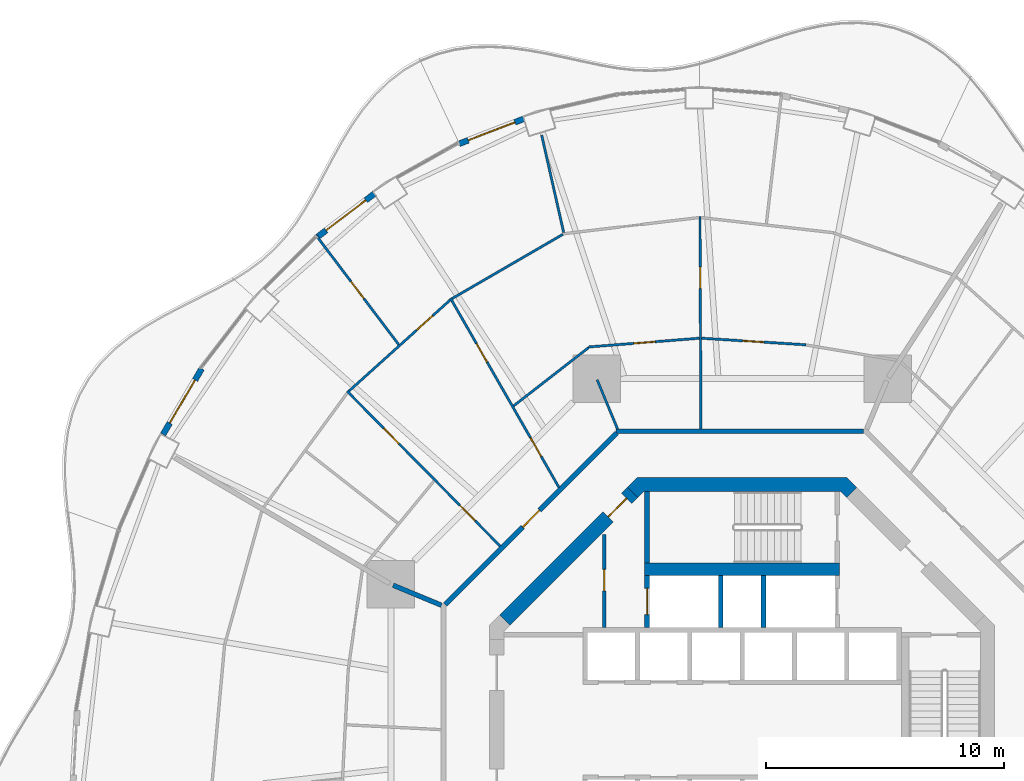
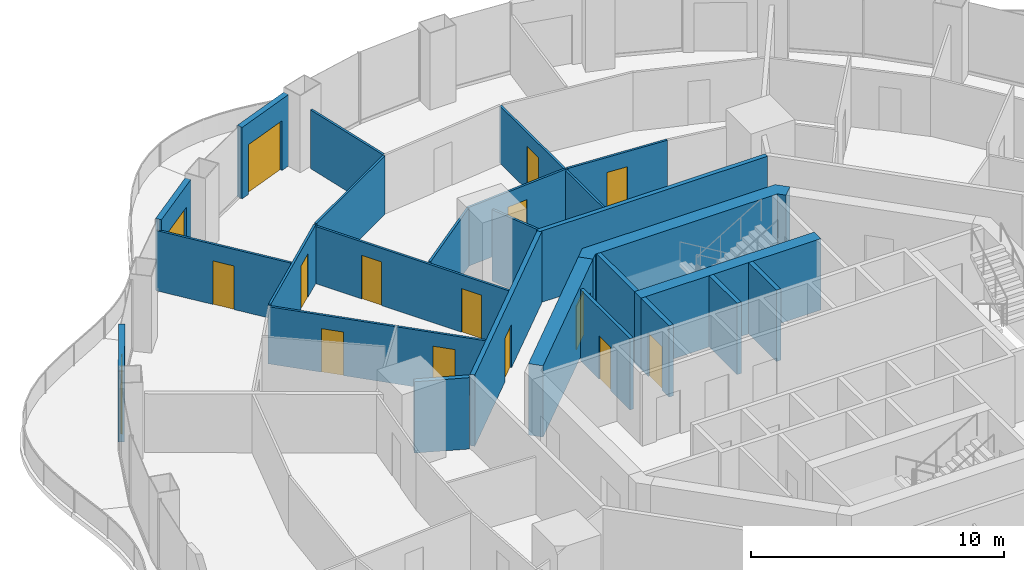
# One storey, part 15 of 20: 25 walls, 16 doors, 16 openings.
"""IFC4 building model written with IfcOpenShell, lengths in metres."""

from ifc_helpers import new_model, si_unit, direction, frame, frame_2d, origin, place, context, subcontext, project, spatial, polyline, rectangle, outline, extrude, material, layer, layer_set, type_object, element, fill, save


model = new_model("IFC4")

# Units and contexts
model_context = context("Model", 3, precision=1e-05, world=origin(), true_north=direction((0.0, 1.0)))
body_context = subcontext(model_context, "Body", "Model", "MODEL_VIEW")
ifc_project = project(units=[si_unit("LENGTHUNIT", "METRE"), si_unit("AREAUNIT", "SQUARE_METRE"), si_unit("VOLUMEUNIT", "CUBIC_METRE"), si_unit("PLANEANGLEUNIT", "RADIAN"), si_unit("MASSUNIT", "GRAM", prefix="KILO")], contexts=[model_context])

# Site, building, storey
site_placement = place(None, origin())
site = spatial("IfcSite", under=ifc_project, at=site_placement, CompositionType="ELEMENT")
building_placement = place(site_placement, origin())
building = spatial("IfcBuilding", under=site, at=building_placement, Name="Nagisa Residences", CompositionType="ELEMENT")
storey_placement = place(building_placement, frame((0.0, 0.0, 123.300048828125)))
storey = spatial("IfcBuildingStorey", under=building, at=storey_placement, Name="L30", CompositionType="ELEMENT", Elevation=123.300048828125)

# Walls
ifc_material_1 = material(Name="Gypsum board on steel studs", Category="steel")
ifc_layer_1 = layer(ifc_material_1, 0.199951171875)
ifc_layer_set_1 = layer_set([ifc_layer_1], Name="Apartment compartment wall EI60 200")
wall_type_1 = type_object("IfcWallType", Name="Apartment compartment wall EI60 200", PredefinedType="PARTITIONING", material=ifc_layer_set_1)
wall_1_placement = place(storey_placement, frame((-12.6572265625, 5.24267578125, 0.0), z_axis=(0.0, 0.0, 1.0), x_axis=(-0.923869415315, 0.382707856524, 0.0)))
element("IfcWall", 1, at=wall_1_placement, inside=storey, type_object=wall_type_1, Name="wall:L30:u02", PredefinedType="PARTITIONING", context=body_context, shape_type="SweptSolid", body=[
    extrude(rectangle(XDim=2.2001953125, YDim=0.199951171875, at=frame_2d((1.10009765625, 0.0))), origin(), (0.0, 0.0, 1.0), 3.43994140625),
])
ifc_material_2 = material(Name="Gypsum board on steel studs", Category="steel")
ifc_layer_2 = layer(ifc_material_2, 0.199951171875)
ifc_layer_set_2 = layer_set([ifc_layer_2], Name="Apartment entry wall EI60 200")
wall_type_2 = type_object("IfcWallType", Name="Apartment entry wall EI60 200", PredefinedType="PARTITIONING", material=ifc_layer_set_2)
wall_2_placement = place(storey_placement, frame((5.1044921875, 12.564697265625, 0.0), z_axis=(0.0, 0.0, 1.0), x_axis=(-1.0, 0.0, 0.0)))
element("IfcWall", 2, at=wall_2_placement, inside=storey, type_object=wall_type_2, Name="wall:L30:u08", PredefinedType="PARTITIONING", context=body_context, shape_type="SweptSolid", body=[
    extrude(rectangle(XDim=10.408935546875, YDim=0.199951171875, at=frame_2d((5.20458984375, 0.0))), origin(), (0.0, 0.0, 1.0), 3.43994140625),
])

# Wall, opening, door
wall_3_placement = place(storey_placement, frame((-5.275146484375, 12.494140625, 0.0), z_axis=(0.0, 0.0, 1.0), x_axis=(-0.707106781187, -0.707106781187, 0.0)))
wall_3 = element("IfcWall", 3, at=wall_3_placement, inside=storey, type_object=wall_type_2, Name="wall:L30:u09", PredefinedType="PARTITIONING", context=body_context, shape_type="SweptSolid", body=[
    extrude(rectangle(XDim=10.209228515625, YDim=0.199951171875, at=frame_2d((5.1044921875, 0.0))), origin(), (0.0, 0.0, 1.0), 3.43994140625),
])
opening_1_placement = place(wall_3_placement, frame((4.6044921875, 0.0, 0.0)))
opening_1 = element("IfcOpeningElement", 4, at=opening_1_placement, cuts=wall_3, Name="Opening L30-U01", PredefinedType="OPENING", context=body_context, shape_type="SweptSolid", body=[
    extrude(rectangle(XDim=1.0, YDim=2.10009765625, at=frame_2d((0.5, 1.050048828125))), frame((0.0, 0.10986328125, 0.0), z_axis=(0.0, -1.0, 0.0), x_axis=(1.0, 0.0, 0.0)), (0.0, 0.0, 1.0), 0.219970703125),
])
ifc_material_3 = material(Name="Timber fire door set", Category="wood")
door_type_1 = type_object("IfcDoorType", Name="Apartment entry door FD30S 1000x2100", OperationType="NOTDEFINED", PredefinedType="DOOR", material=ifc_material_3)
door_1_placement = place(opening_1_placement, frame((1.0, 0.0, 0.0), x_axis=(-1.0, 0.0, 0.0)))
door_1 = element("IfcDoor", 5, at=door_1_placement, inside=storey, type_object=door_type_1, Name="Entry door, Apartment 30A", OperationType="SINGLE_SWING_RIGHT", OverallHeight=2.10009765625, OverallWidth=1.0, PredefinedType="DOOR", context=body_context, shape_type="SweptSolid", body=[
    extrude(rectangle(XDim=1.0, YDim=2.10009765625, at=frame_2d((0.5, 1.050048828125))), frame((0.0, 0.02490234375, 0.0), z_axis=(0.0, -1.0, 0.0), x_axis=(1.0, 0.0, 0.0)), (0.0, 0.0, 1.0), 0.050048828125),
])
fill(opening_1, door_1)

ifc_material_4 = material(Name="Gypsum board on steel studs", Category="steel")
ifc_layer_3 = layer(ifc_material_4, 0.10009765625)
ifc_layer_set_3 = layer_set([ifc_layer_3], Name="Apartment partition 100")
wall_type_3 = type_object("IfcWallType", Name="Apartment partition 100", PredefinedType="PARTITIONING", material=ifc_layer_set_3)
wall_4_placement = place(storey_placement, frame((2.6845703125, 16.2021484375, 0.0), z_axis=(0.0, 0.0, 1.0), x_axis=(-0.998000808042, 0.063201164138, 0.0)))
wall_4 = element("IfcWall", 6, at=wall_4_placement, inside=storey, type_object=wall_type_3, Name="wall:L30:u35", PredefinedType="PARTITIONING", context=body_context, shape_type="SweptSolid", body=[
    extrude(rectangle(XDim=4.39599609375, YDim=0.10009765625, at=frame_2d((2.197998046875, 0.0))), origin(), (0.0, 0.0, 1.0), 2.827880859375),
])
opening_2_placement = place(wall_4_placement, frame((1.77294921875, 0.0, 0.0)))
opening_2 = element("IfcOpeningElement", 7, at=opening_2_placement, cuts=wall_4, Name="Opening L30-U13", PredefinedType="OPENING", context=body_context, shape_type="SweptSolid", body=[
    extrude(rectangle(XDim=0.89990234375, YDim=2.10009765625, at=frame_2d((0.449951171875, 1.050048828125))), frame((0.0, 0.06005859375, 0.0), z_axis=(0.0, -1.0, 0.0), x_axis=(1.0, 0.0, 0.0)), (0.0, 0.0, 1.0), 0.1201171875),
])
ifc_material_5 = material(Name="Timber door set", Category="wood")
door_type_2 = type_object("IfcDoorType", Name="Apartment door 900x2100", OperationType="NOTDEFINED", PredefinedType="DOOR", material=ifc_material_5)
door_2_placement = place(opening_2_placement, origin())
door_2 = element("IfcDoor", 8, at=door_2_placement, inside=storey, type_object=door_type_2, Name="Door to laundry, Apartment 30A", OperationType="SINGLE_SWING_LEFT", OverallHeight=2.10009765625, OverallWidth=0.89990234375, PredefinedType="DOOR", context=body_context, shape_type="SweptSolid", body=[
    extrude(rectangle(XDim=0.89990234375, YDim=2.10009765625, at=frame_2d((0.449951171875, 1.050048828125))), frame((0.0, 0.02490234375, 0.0), z_axis=(0.0, -1.0, 0.0), x_axis=(1.0, 0.0, 0.0)), (0.0, 0.0, 1.0), 0.050048828125),
])
fill(opening_2, door_2)

wall_5_placement = place(storey_placement, frame((-1.7353515625, 12.664794921875, 0.0), z_axis=(0.0, 0.0, 1.0), x_axis=(-0.004474716456, 0.999989988406, 0.0)))
wall_5 = element("IfcWall", 9, at=wall_5_placement, inside=storey, type_object=wall_type_3, Name="wall:L30:u38", PredefinedType="PARTITIONING", context=body_context, shape_type="SweptSolid", body=[
    extrude(rectangle(XDim=8.94775390625, YDim=0.10009765625, at=frame_2d((4.473876953125, 0.0))), origin(), (0.0, 0.0, 1.0), 2.755859375),
])
opening_3_placement = place(wall_5_placement, frame((5.908203125, 0.0, 0.0)))
opening_3 = element("IfcOpeningElement", 10, at=opening_3_placement, cuts=wall_5, Name="Opening L30-U10", PredefinedType="OPENING", context=body_context, shape_type="SweptSolid", body=[
    extrude(rectangle(XDim=0.89990234375, YDim=2.10009765625, at=frame_2d((0.449951171875, 1.050048828125))), frame((0.0, 0.06005859375, 0.0), z_axis=(0.0, -1.0, 0.0), x_axis=(1.0, 0.0, 0.0)), (0.0, 0.0, 1.0), 0.1201171875),
])
door_3_placement = place(opening_3_placement, frame((0.89990234375, 0.0, 0.0), x_axis=(-1.0, 0.0, 0.0)))
door_3 = element("IfcDoor", 11, at=door_3_placement, inside=storey, type_object=door_type_2, Name="Door to kitchen, Apartment 30A", OperationType="SINGLE_SWING_LEFT", OverallHeight=2.10009765625, OverallWidth=0.89990234375, PredefinedType="DOOR", context=body_context, shape_type="SweptSolid", body=[
    extrude(rectangle(XDim=0.89990234375, YDim=2.10009765625, at=frame_2d((0.449951171875, 1.050048828125))), frame((0.0, 0.02490234375, 0.0), z_axis=(0.0, -1.0, 0.0), x_axis=(1.0, 0.0, 0.0)), (0.0, 0.0, 1.0), 0.050048828125),
])
fill(opening_3, door_3)

wall_6_placement = place(storey_placement, frame((-1.80224609375, 16.479248046875, 0.0), z_axis=(0.0, 0.0, 1.0), x_axis=(-0.996909003513, -0.078564869469, 0.0)))
wall_6 = element("IfcWall", 12, at=wall_6_placement, inside=storey, type_object=wall_type_3, Name="wall:L30:u39", PredefinedType="PARTITIONING", context=body_context, shape_type="SweptSolid", body=[
    extrude(rectangle(XDim=4.68603515625, YDim=0.10009765625, at=frame_2d((2.343017578125, 0.0))), origin(), (0.0, 0.0, 1.0), 2.827880859375),
])
opening_4_placement = place(wall_6_placement, frame((1.867919921875, 0.0, 0.0)))
opening_4 = element("IfcOpeningElement", 13, at=opening_4_placement, cuts=wall_6, Name="Opening L30-U09", PredefinedType="OPENING", context=body_context, shape_type="SweptSolid", body=[
    extrude(rectangle(XDim=0.89990234375, YDim=2.10009765625, at=frame_2d((0.449951171875, 1.050048828125))), frame((0.0, 0.06005859375, 0.0), z_axis=(0.0, -1.0, 0.0), x_axis=(1.0, 0.0, 0.0)), (0.0, 0.0, 1.0), 0.1201171875),
])
door_4_placement = place(opening_4_placement, origin())
door_4 = element("IfcDoor", 14, at=door_4_placement, inside=storey, type_object=door_type_2, Name="Door to store, Apartment 30A", OperationType="SINGLE_SWING_LEFT", OverallHeight=2.10009765625, OverallWidth=0.89990234375, PredefinedType="DOOR", context=body_context, shape_type="SweptSolid", body=[
    extrude(rectangle(XDim=0.89990234375, YDim=2.10009765625, at=frame_2d((0.449951171875, 1.050048828125))), frame((0.0, 0.02490234375, 0.0), z_axis=(0.0, -1.0, 0.0), x_axis=(1.0, 0.0, 0.0)), (0.0, 0.0, 1.0), 0.050048828125),
])
fill(opening_4, door_4)

# Walls
wall_7_placement = place(storey_placement, frame((-5.24267578125, 12.6572265625, 0.0), z_axis=(0.0, 0.0, 1.0), x_axis=(-0.382719158442, 0.923864733477, 0.0)))
element("IfcWall", 15, at=wall_7_placement, inside=storey, type_object=wall_type_3, Name="wall:L30:u41", PredefinedType="PARTITIONING", context=body_context, shape_type="SweptSolid", body=[
    extrude(rectangle(XDim=2.25, YDim=0.10009765625, at=frame_2d((1.125, 0.0))), origin(), (0.0, 0.0, 1.0), 3.43994140625),
])
wall_8_placement = place(storey_placement, frame((-6.46337890625, 16.084228515625, 0.0), z_axis=(0.0, 0.0, 1.0), x_axis=(-0.789457442969, -0.613805299538, 0.0)))
element("IfcWall", 16, at=wall_8_placement, inside=storey, type_object=wall_type_3, Name="wall:L30:u42", PredefinedType="PARTITIONING", context=body_context, shape_type="SweptSolid", body=[
    extrude(rectangle(XDim=3.997314453125, YDim=0.10009765625, at=frame_2d((1.99853515625, 0.0))), origin(), (0.0, 0.0, 1.0), 2.827880859375),
])
wall_9_placement = place(storey_placement, frame((-7.5107421875, 20.926513671875, 0.0), z_axis=(0.0, 0.0, 1.0), x_axis=(-0.220337559031, 0.975423682345, 0.0)))
element("IfcWall", 17, at=wall_9_placement, inside=storey, type_object=wall_type_3, Name="wall:L30:u43", PredefinedType="PARTITIONING", context=body_context, shape_type="SweptSolid", body=[
    extrude(rectangle(XDim=4.20166015625, YDim=0.10009765625, at=frame_2d((2.100830078125, 0.0))), origin(), (0.0, 0.0, 1.0), 2.827880859375),
])
wall_10_placement = place(storey_placement, frame((-7.54296875, 20.8525390625, 0.0), z_axis=(0.0, 0.0, 1.0), x_axis=(-0.865086194899, -0.501623240485, 0.0)))
element("IfcWall", 18, at=wall_10_placement, inside=storey, type_object=wall_type_3, Name="wall:L30:u44", PredefinedType="PARTITIONING", context=body_context, shape_type="SweptSolid", body=[
    extrude(rectangle(XDim=5.39306640625, YDim=0.10009765625, at=frame_2d((2.696533203125, 0.0))), origin(), (0.0, 0.0, 1.0), 2.827880859375),
])

# Wall, openings, doors
wall_11_placement = place(storey_placement, frame((-7.707763671875, 10.197998046875, 0.0), z_axis=(0.0, 0.0, 1.0), x_axis=(-0.497449462689, 0.867492957937, 0.0)))
wall_11 = element("IfcWall", 19, at=wall_11_placement, inside=storey, type_object=wall_type_3, Name="wall:L30:u45", PredefinedType="PARTITIONING", context=body_context, shape_type="SweptSolid", body=[
    extrude(rectangle(XDim=9.1845703125, YDim=0.10009765625, at=frame_2d((4.59228515625, 0.0))), origin(), (0.0, 0.0, 1.0), 2.755859375),
])
opening_5_placement = place(wall_11_placement, frame((1.5107421875, 0.0, 0.0)))
opening_5 = element("IfcOpeningElement", 20, at=opening_5_placement, cuts=wall_11, Name="Opening L30-U02", PredefinedType="OPENING", context=body_context, shape_type="SweptSolid", body=[
    extrude(rectangle(XDim=0.89990234375, YDim=2.10009765625, at=frame_2d((0.449951171875, 1.050048828125))), frame((0.0, 0.06005859375, 0.0), z_axis=(0.0, -1.0, 0.0), x_axis=(1.0, 0.0, 0.0)), (0.0, 0.0, 1.0), 0.1201171875),
])
opening_6_placement = place(wall_11_placement, frame((6.077880859375, 0.0, 0.0)))
opening_6 = element("IfcOpeningElement", 21, at=opening_6_placement, cuts=wall_11, Name="Opening L30-U04", PredefinedType="OPENING", context=body_context, shape_type="SweptSolid", body=[
    extrude(rectangle(XDim=0.89990234375, YDim=2.10009765625, at=frame_2d((0.449951171875, 1.050048828125))), frame((0.0, 0.06005859375, 0.0), z_axis=(0.0, -1.0, 0.0), x_axis=(1.0, 0.0, 0.0)), (0.0, 0.0, 1.0), 0.1201171875),
])
door_5_placement = place(opening_5_placement, frame((0.89990234375, 0.0, 0.0), x_axis=(-1.0, 0.0, 0.0)))
door_5 = element("IfcDoor", 22, at=door_5_placement, inside=storey, type_object=door_type_2, Name="Door to store, Apartment 30A", OperationType="SINGLE_SWING_LEFT", OverallHeight=2.10009765625, OverallWidth=0.89990234375, PredefinedType="DOOR", context=body_context, shape_type="SweptSolid", body=[
    extrude(rectangle(XDim=0.89990234375, YDim=2.10009765625, at=frame_2d((0.449951171875, 1.050048828125))), frame((0.0, 0.02490234375, 0.0), z_axis=(0.0, -1.0, 0.0), x_axis=(1.0, 0.0, 0.0)), (0.0, 0.0, 1.0), 0.050048828125),
])
fill(opening_5, door_5)
door_6_placement = place(opening_6_placement, frame((0.89990234375, 0.0, 0.0), x_axis=(-1.0, 0.0, 0.0)))
door_6 = element("IfcDoor", 23, at=door_6_placement, inside=storey, type_object=door_type_2, Name="Door to dining room, Apartment 30A", OperationType="SINGLE_SWING_LEFT", OverallHeight=2.10009765625, OverallWidth=0.89990234375, PredefinedType="DOOR", context=body_context, shape_type="SweptSolid", body=[
    extrude(rectangle(XDim=0.89990234375, YDim=2.10009765625, at=frame_2d((0.449951171875, 1.050048828125))), frame((0.0, 0.02490234375, 0.0), z_axis=(0.0, -1.0, 0.0), x_axis=(1.0, 0.0, 0.0)), (0.0, 0.0, 1.0), 0.050048828125),
])
fill(opening_6, door_6)

# Wall, opening, door
wall_12_placement = place(storey_placement, frame((-12.2890625, 18.088623046875, 0.0), z_axis=(0.0, 0.0, 1.0), x_axis=(-0.743146066164, -0.669129228435, 0.0)))
wall_12 = element("IfcWall", 24, at=wall_12_placement, inside=storey, type_object=wall_type_3, Name="wall:L30:u46", PredefinedType="PARTITIONING", context=body_context, shape_type="SweptSolid", body=[
    extrude(rectangle(XDim=5.7392578125, YDim=0.10009765625, at=frame_2d((2.86962890625, 0.0))), origin(), (0.0, 0.0, 1.0), 2.827880859375),
])
opening_7_placement = place(wall_12_placement, frame((0.98486328125, 0.0, 0.0)))
opening_7 = element("IfcOpeningElement", 25, at=opening_7_placement, cuts=wall_12, Name="Opening L30-U07", PredefinedType="OPENING", context=body_context, shape_type="SweptSolid", body=[
    extrude(rectangle(XDim=0.89990234375, YDim=2.10009765625, at=frame_2d((0.449951171875, 1.050048828125))), frame((0.0, 0.06005859375, 0.0), z_axis=(0.0, -1.0, 0.0), x_axis=(1.0, 0.0, 0.0)), (0.0, 0.0, 1.0), 0.1201171875),
])
door_7_placement = place(opening_7_placement, frame((0.89990234375, 0.0, 0.0), x_axis=(-1.0, 0.0, 0.0)))
door_7 = element("IfcDoor", 26, at=door_7_placement, inside=storey, type_object=door_type_2, Name="Door to living room, Apartment 30A", OperationType="SINGLE_SWING_RIGHT", OverallHeight=2.10009765625, OverallWidth=0.89990234375, PredefinedType="DOOR", context=body_context, shape_type="SweptSolid", body=[
    extrude(rectangle(XDim=0.89990234375, YDim=2.10009765625, at=frame_2d((0.449951171875, 1.050048828125))), frame((0.0, 0.02490234375, 0.0), z_axis=(0.0, -1.0, 0.0), x_axis=(1.0, 0.0, 0.0)), (0.0, 0.0, 1.0), 0.050048828125),
])
fill(opening_7, door_7)

wall_13_placement = place(storey_placement, frame((-14.451904296875, 16.208251953125, 0.0), z_axis=(0.0, 0.0, 1.0), x_axis=(-0.603267974074, 0.797538557975, 0.0)))
wall_13 = element("IfcWall", 27, at=wall_13_placement, inside=storey, type_object=wall_type_3, Name="wall:L30:u47", PredefinedType="PARTITIONING", context=body_context, shape_type="SweptSolid", body=[
    extrude(rectangle(XDim=5.764404296875, YDim=0.10009765625, at=frame_2d((2.88232421875, 0.0))), origin(), (0.0, 0.0, 1.0), 2.905029296875),
])
opening_8_placement = place(wall_13_placement, frame((2.432373046875, 0.0, 0.0)))
opening_8 = element("IfcOpeningElement", 28, at=opening_8_placement, cuts=wall_13, Name="Opening L30-U08", PredefinedType="OPENING", context=body_context, shape_type="SweptSolid", body=[
    extrude(rectangle(XDim=0.89990234375, YDim=2.10009765625, at=frame_2d((0.449951171875, 1.050048828125))), frame((0.0, 0.06005859375, 0.0), z_axis=(0.0, -1.0, 0.0), x_axis=(1.0, 0.0, 0.0)), (0.0, 0.0, 1.0), 0.1201171875),
])
door_8_placement = place(opening_8_placement, origin())
door_8 = element("IfcDoor", 29, at=door_8_placement, inside=storey, type_object=door_type_2, Name="Door to master bedroom, Apartment 30A", OperationType="SINGLE_SWING_RIGHT", OverallHeight=2.10009765625, OverallWidth=0.89990234375, PredefinedType="DOOR", context=body_context, shape_type="SweptSolid", body=[
    extrude(rectangle(XDim=0.89990234375, YDim=2.10009765625, at=frame_2d((0.449951171875, 1.050048828125))), frame((0.0, 0.02490234375, 0.0), z_axis=(0.0, -1.0, 0.0), x_axis=(1.0, 0.0, 0.0)), (0.0, 0.0, 1.0), 0.050048828125),
])
fill(opening_8, door_8)

# Wall, openings, doors
wall_14_placement = place(storey_placement, frame((-10.181640625, 7.72900390625, 0.0), z_axis=(0.0, 0.0, 1.0), x_axis=(-0.702927211734, 0.711261790766, 0.0)))
wall_14 = element("IfcWall", 30, at=wall_14_placement, inside=storey, type_object=wall_type_3, Name="wall:L30:u48", PredefinedType="PARTITIONING", context=body_context, shape_type="SweptSolid", body=[
    extrude(rectangle(XDim=9.16845703125, YDim=0.10009765625, at=frame_2d((4.584228515625, 0.0))), origin(), (0.0, 0.0, 1.0), 2.755859375),
])
opening_9_placement = place(wall_14_placement, frame((1.50732421875, 0.0, 0.0)))
opening_9 = element("IfcOpeningElement", 31, at=opening_9_placement, cuts=wall_14, Name="Opening L30-U03", PredefinedType="OPENING", context=body_context, shape_type="SweptSolid", body=[
    extrude(rectangle(XDim=0.89990234375, YDim=2.10009765625, at=frame_2d((0.449951171875, 1.050048828125))), frame((0.0, 0.06005859375, 0.0), z_axis=(0.0, -1.0, 0.0), x_axis=(1.0, 0.0, 0.0)), (0.0, 0.0, 1.0), 0.1201171875),
])
opening_10_placement = place(wall_14_placement, frame((6.066650390625, 0.0, 0.0)))
opening_10 = element("IfcOpeningElement", 32, at=opening_10_placement, cuts=wall_14, Name="Opening L30-U05", PredefinedType="OPENING", context=body_context, shape_type="SweptSolid", body=[
    extrude(rectangle(XDim=0.89990234375, YDim=2.10009765625, at=frame_2d((0.449951171875, 1.050048828125))), frame((0.0, 0.06005859375, 0.0), z_axis=(0.0, -1.0, 0.0), x_axis=(1.0, 0.0, 0.0)), (0.0, 0.0, 1.0), 0.1201171875),
])
door_9_placement = place(opening_9_placement, origin())
door_9 = element("IfcDoor", 33, at=door_9_placement, inside=storey, type_object=door_type_2, Name="Door to family bathroom, Apartment 30A", OperationType="SINGLE_SWING_LEFT", OverallHeight=2.10009765625, OverallWidth=0.89990234375, PredefinedType="DOOR", context=body_context, shape_type="SweptSolid", body=[
    extrude(rectangle(XDim=0.89990234375, YDim=2.10009765625, at=frame_2d((0.449951171875, 1.050048828125))), frame((0.0, 0.02490234375, 0.0), z_axis=(0.0, -1.0, 0.0), x_axis=(1.0, 0.0, 0.0)), (0.0, 0.0, 1.0), 0.050048828125),
])
fill(opening_9, door_9)
door_10_placement = place(opening_10_placement, origin())
door_10 = element("IfcDoor", 34, at=door_10_placement, inside=storey, type_object=door_type_2, Name="Door to family bathroom, Apartment 30A", OperationType="SINGLE_SWING_LEFT", OverallHeight=2.10009765625, OverallWidth=0.89990234375, PredefinedType="DOOR", context=body_context, shape_type="SweptSolid", body=[
    extrude(rectangle(XDim=0.89990234375, YDim=2.10009765625, at=frame_2d((0.449951171875, 1.050048828125))), frame((0.0, 0.02490234375, 0.0), z_axis=(0.0, -1.0, 0.0), x_axis=(1.0, 0.0, 0.0)), (0.0, 0.0, 1.0), 0.050048828125),
])
fill(opening_10, door_10)

# Wall, opening, door
ifc_material_6 = material(Name="Precast concrete C40/50", Category="concrete")
ifc_layer_4 = layer(ifc_material_6, 0.25)
ifc_layer_set_4 = layer_set([ifc_layer_4], Name="BALCONY DOOR WALL 250")
wall_type_4 = type_object("IfcWallType", Name="BALCONY DOOR WALL 250", PredefinedType="SOLIDWALL", material=ifc_layer_set_4)
wall_15_placement = place(storey_placement, frame((-11.909423828125, 24.662353515625, 0.0), z_axis=(0.0, 0.0, 1.0), x_axis=(0.932845344347, 0.360277064952, 0.0)))
wall_15 = element("IfcWall", 35, at=wall_15_placement, inside=storey, type_object=wall_type_4, Name="wall:L30:bay14", PredefinedType="SOLIDWALL", context=body_context, shape_type="SweptSolid", body=[
    extrude(rectangle(XDim=2.92333984375, YDim=0.25, at=frame_2d((1.461669921875, 0.0))), origin(), (0.0, 0.0, 1.0), 3.43994140625),
])
opening_11_placement = place(wall_15_placement, frame((0.41162109375, 0.0, 0.0)))
opening_11 = element("IfcOpeningElement", 36, at=opening_11_placement, cuts=wall_15, Name="Opening BD-L30-05", PredefinedType="OPENING", context=body_context, shape_type="SweptSolid", body=[
    extrude(rectangle(XDim=2.10009765625, YDim=2.39990234375, at=frame_2d((1.050048828125, 1.199951171875))), frame((0.0, 0.135009765625, 0.0), z_axis=(0.0, -1.0, 0.0), x_axis=(1.0, 0.0, 0.0)), (0.0, 0.0, 1.0), 0.27001953125),
])
ifc_material_7 = material(Name="Aluminium and clear glass", Category="aluminium")
door_type_3 = type_object("IfcDoorType", Name="BALCONY SLIDING DOOR 2100x2400", OperationType="SLIDING_TO_LEFT", PredefinedType="DOOR", material=ifc_material_7)
door_11_placement = place(opening_11_placement, origin())
door_11 = element("IfcDoor", 37, at=door_11_placement, inside=storey, type_object=door_type_3, Name="door:L30:bay14", OperationType="SLIDING_TO_LEFT", OverallHeight=2.39990234375, OverallWidth=2.10009765625, PredefinedType="DOOR", context=body_context, shape_type="SweptSolid", body=[
    extrude(rectangle(XDim=2.10009765625, YDim=2.39990234375, at=frame_2d((1.050048828125, 1.199951171875))), frame((0.0, 0.02490234375, 0.0), z_axis=(0.0, -1.0, 0.0), x_axis=(1.0, 0.0, 0.0)), (0.0, 0.0, 1.0), 0.050048828125),
])
fill(opening_11, door_11)

wall_16_placement = place(storey_placement, frame((-17.8779296875, 20.738037109375, 0.0), z_axis=(0.0, 0.0, 1.0), x_axis=(0.796022231079, 0.605267385233, 0.0)))
wall_16 = element("IfcWall", 38, at=wall_16_placement, inside=storey, type_object=wall_type_4, Name="wall:L30:bay16", PredefinedType="SOLIDWALL", context=body_context, shape_type="SweptSolid", body=[
    extrude(rectangle(XDim=3.025634765625, YDim=0.25, at=frame_2d((1.5126953125, 0.0))), origin(), (0.0, 0.0, 1.0), 3.43994140625),
])
opening_12_placement = place(wall_16_placement, frame((0.462646484375, 0.0, 0.0)))
opening_12 = element("IfcOpeningElement", 39, at=opening_12_placement, cuts=wall_16, Name="Opening BD-L30-06", PredefinedType="OPENING", context=body_context, shape_type="SweptSolid", body=[
    extrude(rectangle(XDim=2.10009765625, YDim=2.39990234375, at=frame_2d((1.050048828125, 1.199951171875))), frame((0.0, 0.135009765625, 0.0), z_axis=(0.0, -1.0, 0.0), x_axis=(1.0, 0.0, 0.0)), (0.0, 0.0, 1.0), 0.27001953125),
])
door_12_placement = place(opening_12_placement, origin())
door_12 = element("IfcDoor", 40, at=door_12_placement, inside=storey, type_object=door_type_3, Name="door:L30:bay16", OperationType="SLIDING_TO_LEFT", OverallHeight=2.39990234375, OverallWidth=2.10009765625, PredefinedType="DOOR", context=body_context, shape_type="SweptSolid", body=[
    extrude(rectangle(XDim=2.10009765625, YDim=2.39990234375, at=frame_2d((1.050048828125, 1.199951171875))), frame((0.0, 0.02490234375, 0.0), z_axis=(0.0, -1.0, 0.0), x_axis=(1.0, 0.0, 0.0)), (0.0, 0.0, 1.0), 0.050048828125),
])
fill(opening_12, door_12)

wall_17_placement = place(storey_placement, frame((-24.368408203125, 12.433837890625, 0.0), z_axis=(0.0, 0.0, 1.0), x_axis=(0.506314982873, 0.862348617508, 0.0)))
wall_17 = element("IfcWall", 41, at=wall_17_placement, inside=storey, type_object=wall_type_4, Name="wall:L30:bay19", PredefinedType="SOLIDWALL", context=body_context, shape_type="SweptSolid", body=[
    extrude(rectangle(XDim=3.20849609375, YDim=0.25, at=frame_2d((1.604248046875, 0.0))), origin(), (0.0, 0.0, 1.0), 3.43994140625),
])
opening_13_placement = place(wall_17_placement, frame((0.55419921875, 0.0, 0.0)))
opening_13 = element("IfcOpeningElement", 42, at=opening_13_placement, cuts=wall_17, Name="Opening BD-L30-07", PredefinedType="OPENING", context=body_context, shape_type="SweptSolid", body=[
    extrude(rectangle(XDim=2.10009765625, YDim=2.39990234375, at=frame_2d((1.050048828125, 1.199951171875))), frame((0.0, 0.135009765625, 0.0), z_axis=(0.0, -1.0, 0.0), x_axis=(1.0, 0.0, 0.0)), (0.0, 0.0, 1.0), 0.27001953125),
])
door_13_placement = place(opening_13_placement, origin())
door_13 = element("IfcDoor", 43, at=door_13_placement, inside=storey, type_object=door_type_3, Name="door:L30:bay19", OperationType="SLIDING_TO_LEFT", OverallHeight=2.39990234375, OverallWidth=2.10009765625, PredefinedType="DOOR", context=body_context, shape_type="SweptSolid", body=[
    extrude(rectangle(XDim=2.10009765625, YDim=2.39990234375, at=frame_2d((1.050048828125, 1.199951171875))), frame((0.0, 0.02490234375, 0.0), z_axis=(0.0, -1.0, 0.0), x_axis=(1.0, 0.0, 0.0)), (0.0, 0.0, 1.0), 0.050048828125),
])
fill(opening_13, door_13)

ifc_material_8 = material(Name="Gypsum board on steel studs", Category="steel")
ifc_layer_5 = layer(ifc_material_8, 0.14990234375)
ifc_layer_set_5 = layer_set([ifc_layer_5], Name="Core partition 150")
wall_type_5 = type_object("IfcWallType", Name="Core partition 150", PredefinedType="PARTITIONING", material=ifc_layer_set_5)
wall_18_placement = place(storey_placement, frame((-5.800048828125, 4.300048828125, 0.0), z_axis=(0.0, 0.0, 1.0), x_axis=(0.0, 1.0, 0.0)))
wall_18 = element("IfcWall", 44, at=wall_18_placement, inside=storey, type_object=wall_type_5, Name="wall:L30:NWp", PredefinedType="PARTITIONING", context=body_context, shape_type="SweptSolid", body=[
    extrude(rectangle(XDim=3.927001953125, YDim=0.14990234375, at=frame_2d((1.96337890625, 0.0))), origin(), (0.0, 0.0, 1.0), 3.43994140625),
])
opening_14_placement = place(wall_18_placement, frame((1.551025390625, 0.0, 0.0)))
opening_14 = element("IfcOpeningElement", 45, at=opening_14_placement, cuts=wall_18, Name="Opening L30-C12", PredefinedType="OPENING", context=body_context, shape_type="SweptSolid", body=[
    extrude(rectangle(XDim=0.89990234375, YDim=2.10009765625, at=frame_2d((0.449951171875, 1.050048828125))), frame((0.0, 0.0849609375, 0.0), z_axis=(0.0, -1.0, 0.0), x_axis=(1.0, 0.0, 0.0)), (0.0, 0.0, 1.0), 0.169921875),
])
ifc_material_9 = material(Name="Steel fire door", Category="steel")
door_type_4 = type_object("IfcDoorType", Name="Fire door EI30 900x2100 single swing", OperationType="NOTDEFINED", PredefinedType="DOOR", material=ifc_material_9)
door_14_placement = place(opening_14_placement, origin())
door_14 = element("IfcDoor", 46, at=door_14_placement, inside=storey, type_object=door_type_4, Name="Staff WC door L30", OperationType="SINGLE_SWING_LEFT", OverallHeight=2.10009765625, OverallWidth=0.89990234375, PredefinedType="DOOR", context=body_context, shape_type="SweptSolid", body=[
    extrude(rectangle(XDim=0.89990234375, YDim=2.10009765625, at=frame_2d((0.449951171875, 1.050048828125))), frame((0.0, 0.02490234375, 0.0), z_axis=(0.0, -1.0, 0.0), x_axis=(1.0, 0.0, 0.0)), (0.0, 0.0, 1.0), 0.050048828125),
])
fill(opening_14, door_14)

ifc_material_10 = material(Name="Concrete C60", Category="concrete")
ifc_layer_6 = layer(ifc_material_10, 0.60009765625)
ifc_layer_set_6 = layer_set([ifc_layer_6], Name="Core shear wall 600")
wall_type_6 = type_object("IfcWallType", Name="Core shear wall 600", PredefinedType="SHEAR", material=ifc_layer_set_6)
wall_19_placement = place(storey_placement, frame((-4.613037109375, 9.98828125, 0.0), z_axis=(0.0, 0.0, 1.0), x_axis=(-0.707106781187, -0.707106781187, 0.0)))
wall_19 = element("IfcWall", 47, at=wall_19_placement, inside=storey, type_object=wall_type_6, Name="wall:L30:core:flat3", PredefinedType="SHEAR", context=body_context, shape_type="SweptSolid", body=[
    extrude(rectangle(XDim=7.601806640625, YDim=0.60009765625, at=frame_2d((3.80078125, 0.0))), origin(), (0.0, 0.0, 1.0), 3.43994140625),
])
opening_15_placement = place(wall_19_placement, frame((0.350830078125, 0.0, 0.0)))
opening_15 = element("IfcOpeningElement", 48, at=opening_15_placement, cuts=wall_19, Name="Opening L30-C19", PredefinedType="OPENING", context=body_context, shape_type="SweptSolid", body=[
    extrude(rectangle(XDim=1.10009765625, YDim=2.10009765625, at=frame_2d((0.550048828125, 1.050048828125))), frame((0.0, 0.31005859375, 0.0), z_axis=(0.0, -1.0, 0.0), x_axis=(1.0, 0.0, 0.0)), (0.0, 0.0, 1.0), 0.6201171875),
])
ifc_material_11 = material(Name="Steel fire door", Category="steel")
door_type_5 = type_object("IfcDoorType", Name="Fire door EI60 1100x2100 single swing", OperationType="NOTDEFINED", PredefinedType="DOOR", material=ifc_material_11)
door_15_placement = place(opening_15_placement, origin())
door_15 = element("IfcDoor", 49, at=door_15_placement, inside=storey, type_object=door_type_5, Name="Service lobby door L30", OperationType="SINGLE_SWING_RIGHT", OverallHeight=2.10009765625, OverallWidth=1.10009765625, PredefinedType="DOOR", context=body_context, shape_type="SweptSolid", body=[
    extrude(rectangle(XDim=1.10009765625, YDim=2.10009765625, at=frame_2d((0.550048828125, 1.050048828125))), frame((0.0, 0.02490234375, 0.0), z_axis=(0.0, -1.0, 0.0), x_axis=(1.0, 0.0, 0.0)), (0.0, 0.0, 1.0), 0.050048828125),
])
fill(opening_15, door_15)

# Wall
wall_20_placement = place(storey_placement, origin())
element("IfcWall", 50, at=wall_20_placement, inside=storey, type_object=wall_type_6, Name="wall:L30:core:flat2", PredefinedType="SHEAR", context=body_context, shape_type="SweptSolid", body=[
    extrude(outline(polyline([(-4.15234375, 10.024658203125), (-4.40087890625, 9.776123046875), (-4.8251953125, 10.200439453125), (-4.40087890625, 10.62451171875), (4.40087890625, 10.62451171875), (4.8251953125, 10.200439453125), (4.40087890625, 9.776123046875), (4.15234375, 10.024658203125), (-4.15234375, 10.024658203125)])), origin(), (0.0, 0.0, 1.0), 3.43994140625),
])

# Wall, opening, door
ifc_material_12 = material(Name="Concrete C60", Category="concrete")
ifc_layer_7 = layer(ifc_material_12, 0.199951171875)
ifc_layer_set_7 = layer_set([ifc_layer_7], Name="Lift shaft wall 200")
wall_type_7 = type_object("IfcWallType", Name="Lift shaft wall 200", PredefinedType="SOLIDWALL", material=ifc_layer_set_7)
wall_21_placement = place(storey_placement, frame((-4.0, 4.300048828125, 0.0), z_axis=(0.0, 0.0, 1.0), x_axis=(0.0, 1.0, 0.0)))
wall_21 = element("IfcWall", 51, at=wall_21_placement, inside=storey, type_object=wall_type_7, Name="wall:L30:Nb4", PredefinedType="SOLIDWALL", context=body_context, shape_type="SweptSolid", body=[
    extrude(rectangle(XDim=2.199951171875, YDim=0.199951171875, at=frame_2d((1.10009765625, 0.0))), origin(), (0.0, 0.0, 1.0), 3.43994140625),
])
opening_16_placement = place(wall_21_placement, frame((0.550048828125, 0.0, 0.0)))
opening_16 = element("IfcOpeningElement", 52, at=opening_16_placement, cuts=wall_21, Name="Opening L30-C08", PredefinedType="OPENING", context=body_context, shape_type="SweptSolid", body=[
    extrude(rectangle(XDim=1.10009765625, YDim=2.10009765625, at=frame_2d((0.550048828125, 1.050048828125))), frame((0.0, 0.10986328125, 0.0), z_axis=(0.0, -1.0, 0.0), x_axis=(1.0, 0.0, 0.0)), (0.0, 0.0, 1.0), 0.219970703125),
])
ifc_material_13 = material(Name="Stainless steel", Category="steel")
door_type_6 = type_object("IfcDoorType", Name="Lift landing door 1100x2100", OperationType="DOUBLE_DOOR_SLIDING", PredefinedType="DOOR", material=ifc_material_13)
door_16_placement = place(opening_16_placement, origin())
door_16 = element("IfcDoor", 53, at=door_16_placement, inside=storey, type_object=door_type_6, Name="Landing door SV L30", OperationType="DOUBLE_DOOR_SLIDING", OverallHeight=2.10009765625, OverallWidth=1.10009765625, PredefinedType="DOOR", context=body_context, shape_type="SweptSolid", body=[
    extrude(rectangle(XDim=1.10009765625, YDim=2.10009765625, at=frame_2d((0.550048828125, 1.050048828125))), frame((0.0, 0.02490234375, 0.0), z_axis=(0.0, -1.0, 0.0), x_axis=(1.0, 0.0, 0.0)), (0.0, 0.0, 1.0), 0.050048828125),
])
fill(opening_16, door_16)

# Walls
for number, where, z_axis, x_axis, name in (
    (54, (-0.89990234375, 4.300048828125, 0.0), (0.0, 0.0, 1.0), (0.0, 1.0, 0.0), "wall:L30:Nb1"),
    (55, (0.89990234375, 4.300048828125, 0.0), (0.0, 0.0, 1.0), (0.0, 1.0, 0.0), "wall:L30:Nb2"),
):
    element("IfcWall", number, at=place(storey_placement, frame(where, z_axis=z_axis, x_axis=x_axis)), inside=storey, type_object=wall_type_7, Name=name, PredefinedType="SOLIDWALL", context=body_context, shape_type="SweptSolid", body=[
        extrude(rectangle(XDim=2.199951171875, YDim=0.199951171875, at=frame_2d((1.10009765625, 0.0))), origin(), (0.0, 0.0, 1.0), 3.43994140625),
    ])
ifc_material_14 = material(Name="Concrete C60", Category="concrete")
ifc_layer_8 = layer(ifc_material_14, 0.199951171875)
ifc_layer_set_8 = layer_set([ifc_layer_8], Name="Stair enclosure wall 200")
wall_type_8 = type_object("IfcWallType", Name="Stair enclosure wall 200", PredefinedType="SOLIDWALL", material=ifc_layer_set_8)
wall_22_placement = place(storey_placement, origin())
element("IfcWall", 56, at=wall_22_placement, inside=storey, type_object=wall_type_8, Name="wall:L30:SN_w", PredefinedType="SOLIDWALL", context=body_context, shape_type="SweptSolid", body=[
    extrude(outline(polyline([(-3.89990234375, 7.024658203125), (-4.10009765625, 7.024658203125), (-4.10009765625, 10.024658203125), (-3.89990234375, 10.024658203125), (-3.89990234375, 7.024658203125)])), origin(), (0.0, 0.0, 1.0), 3.43994140625),
])
wall_23_placement = place(storey_placement, origin())
element("IfcWall", 57, at=wall_23_placement, inside=storey, type_object=wall_type_8, Name="wall:L30:SN_s", PredefinedType="SOLIDWALL", context=body_context, shape_type="SweptSolid", body=[
    extrude(outline(polyline([(4.10009765625, 6.5), (-4.10009765625, 6.5), (-4.10009765625, 7.024658203125), (4.10009765625, 7.024658203125), (4.10009765625, 6.5)])), origin(), (0.0, 0.0, 1.0), 3.43994140625),
])

save(model, "model.ifc")
